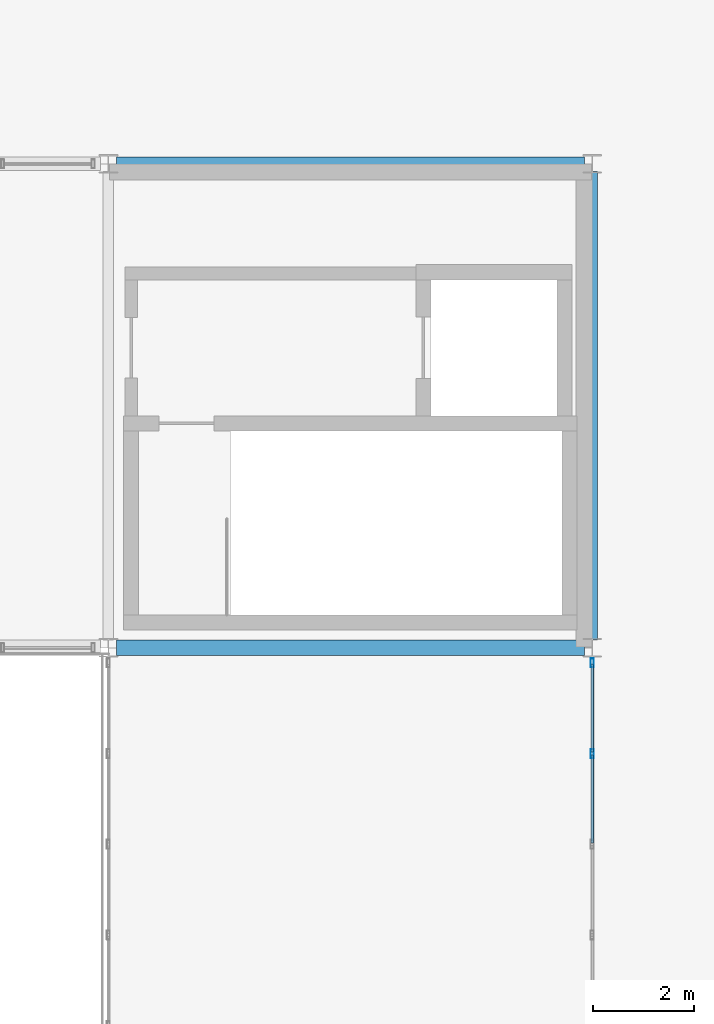
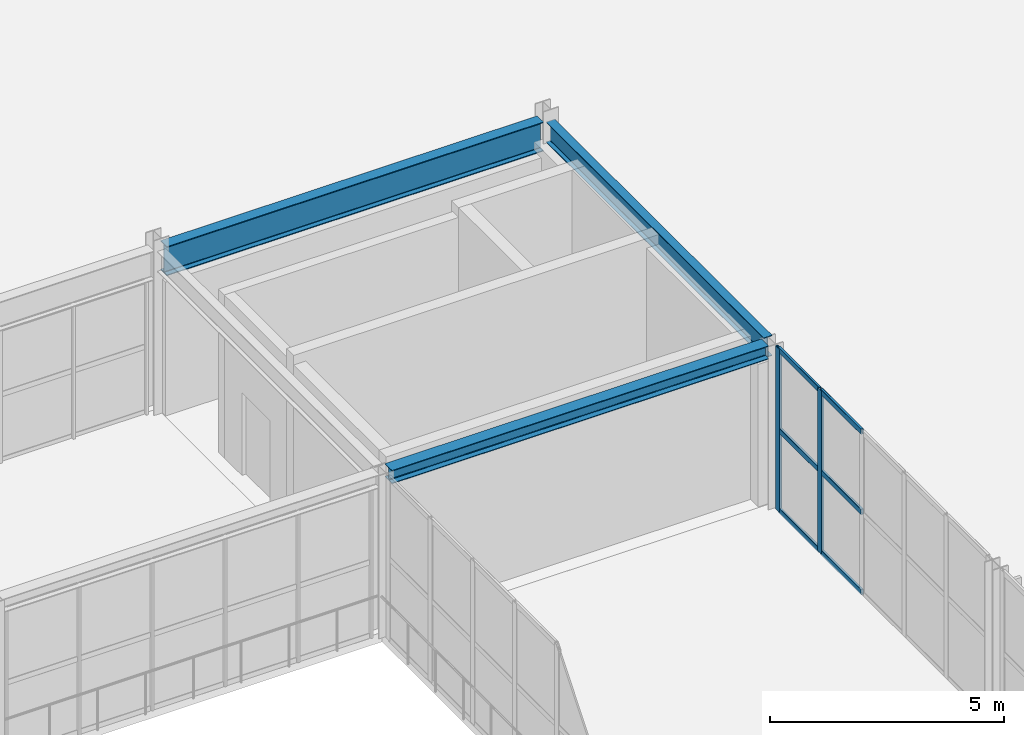
# One storey, part 128 of 170: 8 members, 3 beams, 1 element without a shape of its own.
"""IFC4 building model written with IfcOpenShell, lengths in metres."""

from ifc_helpers import new_model, si_unit, direction, frame, origin, origin_2d, place, context, subcontext, project, spatial, hollow_rectangle, i_section, extrude, material, material_profile, profile_set, type_object, element, aggregate, save


model = new_model("IFC4")

# Units and contexts
model_context = context("Model", 3, precision=1e-05, world=origin(), true_north=direction((0.0, 1.0)))
body_context = subcontext(model_context, "Body", "Model", "MODEL_VIEW")
ifc_project = project(units=[si_unit("LENGTHUNIT", "METRE"), si_unit("AREAUNIT", "SQUARE_METRE"), si_unit("VOLUMEUNIT", "CUBIC_METRE"), si_unit("PLANEANGLEUNIT", "RADIAN"), si_unit("MASSUNIT", "GRAM", prefix="KILO")], contexts=[model_context])

# Site, building, storey
site_placement = place(None, origin())
site = spatial("IfcSite", under=ifc_project, at=site_placement, CompositionType="ELEMENT")
building_placement = place(site_placement, origin())
building = spatial("IfcBuilding", under=site, at=building_placement, Name="Coralgate Yard Interchange", CompositionType="ELEMENT")
storey_placement = place(building_placement, frame((0.0, 0.0, 6.0)))
storey = spatial("IfcBuildingStorey", under=building, at=storey_placement, Name="L01", CompositionType="ELEMENT", Elevation=6.0)

# Beams
ifc_material_1 = material(Name="Structural steel S355J2", Category="steel")
ifc_material_profile_1 = material_profile(ifc_material_1, i_section(OverallWidth=0.209228515625, OverallDepth=0.533203125, WebThickness=0.010009765625, FlangeThickness=0.015625, FilletRadius=0.0126953125, at=origin_2d()), Name="UB 533x210x92")
ifc_profile_set_1 = profile_set([ifc_material_profile_1], Name="Structural steel S355J2")
beam_type_1 = type_object("IfcBeamType", Name="BM-SB-1", PredefinedType="BEAM", material=ifc_profile_set_1)
beam_1_placement = place(storey_placement, frame((134.39990234375, 67.35400390625, 3.9833984375), z_axis=(0.0, 1.0, 0.0), x_axis=(-1.0, 0.0, 0.0)))
element("IfcBeam", 1, at=beam_1_placement, inside=storey, type_object=beam_type_1, Name="L01 primary grid girder X14 Y7-8", PredefinedType="BEAM", context=body_context, shape_type="SweptSolid", body=[
    extrude(i_section(OverallWidth=0.209228515625, OverallDepth=0.533203125, WebThickness=0.010009765625, FlangeThickness=0.015625, FilletRadius=0.0126953125, at=origin_2d()), origin(), (0.0, 0.0, 1.0), 9.2919921875),
])
ifc_material_profile_2 = material_profile(ifc_material_1, i_section(OverallWidth=0.2666015625, OverallDepth=0.76220703125, WebThickness=0.014404296875, FlangeThickness=0.021484375, FilletRadius=0.0166015625, at=origin_2d()), Name="UB 762x267x173")
ifc_profile_set_2 = profile_set([ifc_material_profile_2], Name="Structural steel S355J2")
beam_type_2 = type_object("IfcBeamType", Name="BM-SG-3", PredefinedType="BEAM", material=ifc_profile_set_2)
beam_2_placement = place(storey_placement, frame((124.956298828125, 76.800048828125, 3.868896484375), z_axis=(1.0, 0.0, 0.0), x_axis=(0.0, 1.0, 0.0)))
element("IfcBeam", 2, at=beam_2_placement, inside=storey, type_object=beam_type_2, Name="L01 primary grid beam Y8 X13-14", PredefinedType="BEAM", context=body_context, shape_type="SweptSolid", body=[
    extrude(i_section(OverallWidth=0.2666015625, OverallDepth=0.76220703125, WebThickness=0.014404296875, FlangeThickness=0.021484375, FilletRadius=0.0166015625, at=origin_2d()), origin(), (0.0, 0.0, 1.0), 9.287353515625),
])
ifc_material_profile_3 = material_profile(ifc_material_1, i_section(OverallWidth=0.300048828125, OverallDepth=0.35009765625, WebThickness=0.010009765625, FlangeThickness=0.017578125, FilletRadius=0.027099609375, at=origin_2d()), Name="HEA 360")
ifc_profile_set_3 = profile_set([ifc_material_profile_3], Name="Structural steel S355J2")
beam_type_3 = type_object("IfcBeamType", Name="BM-SP-1", PredefinedType="SPANDREL", material=ifc_profile_set_3)
beam_3_placement = place(storey_placement, frame((124.956298828125, 67.199951171875, 4.074951171875), z_axis=(1.0, 0.0, 0.0), x_axis=(0.0, 1.0, 0.0)))
element("IfcBeam", 3, at=beam_3_placement, inside=storey, type_object=beam_type_3, Name="L01 primary grid beam Y7 X13-14", PredefinedType="SPANDREL", context=body_context, shape_type="SweptSolid", body=[
    extrude(i_section(OverallWidth=0.300048828125, OverallDepth=0.35009765625, WebThickness=0.010009765625, FlangeThickness=0.017578125, FilletRadius=0.027099609375, at=origin_2d()), origin(), (0.0, 0.0, 1.0), 9.287353515625),
])

# Curtain wall, members
ifc_material_2 = material(Name="Anodised coastal aluminium and solar-control low-E glass", Category="aluminium")
curtain_wall_type = type_object("IfcCurtainWallType", Name="CW-CW-L01-B", PredefinedType="NOTDEFINED", material=ifc_material_2)
curtain_wall_placement = place(storey_placement, origin())
curtain_wall = element("IfcCurtainWall", 4, at=curtain_wall_placement, inside=storey, type_object=curtain_wall_type, Name="L01 unitised curtain wall CW-L01-E-13-06", PredefinedType="NOTDEFINED")
ifc_material_3 = material(Name="Anodised coastal aluminium 6063-T6", Category="aluminium")
ifc_material_profile_4 = material_profile(ifc_material_3, hollow_rectangle(XDim=0.06005859375, YDim=0.179931640625, WallThickness=0.00390625, InnerFilletRadius=0.00390625, OuterFilletRadius=0.008056640625, at=origin_2d()), Name="ALU 60x180x4")
ifc_profile_set_4 = profile_set([ifc_material_profile_4], Name="Anodised coastal aluminium 6063-T6")
member_type_1 = type_object("IfcMemberType", Name="MB-MUL-180", PredefinedType="MULLION", material=ifc_profile_set_4)
member_1_placement = place(storey_placement, frame((134.39990234375, 66.89990234375, 0.0), z_axis=(0.0, 0.0, 1.0), x_axis=(1.0, 0.0, 0.0)))
member_1 = element("IfcMember", 5, at=member_1_placement, type_object=member_type_1, Name="CW-L01-E-13-06 vertical mullion 1", PredefinedType="MULLION", context=body_context, shape_type="SweptSolid", body=[
    extrude(hollow_rectangle(XDim=0.06005859375, YDim=0.179931640625, WallThickness=0.00390625, InnerFilletRadius=0.00390625, OuterFilletRadius=0.008056640625, at=origin_2d()), origin(), (0.0, 0.0, 1.0), 4.25),
])
member_2_placement = place(storey_placement, frame((134.39990234375, 65.10009765625, 0.0), z_axis=(0.0, 0.0, 1.0), x_axis=(1.0, 0.0, 0.0)))
member_2 = element("IfcMember", 6, at=member_2_placement, type_object=member_type_1, Name="CW-L01-E-13-06 vertical mullion 2", PredefinedType="MULLION", context=body_context, shape_type="SweptSolid", body=[
    extrude(hollow_rectangle(XDim=0.06005859375, YDim=0.179931640625, WallThickness=0.00390625, InnerFilletRadius=0.00390625, OuterFilletRadius=0.008056640625, at=origin_2d()), origin(), (0.0, 0.0, 1.0), 4.25),
])
ifc_material_profile_5 = material_profile(ifc_material_3, hollow_rectangle(XDim=0.06005859375, YDim=0.139892578125, WallThickness=0.00341796875, InnerFilletRadius=0.00341796875, OuterFilletRadius=0.007080078125, at=origin_2d()), Name="ALU 60x140x3.5")
ifc_profile_set_5 = profile_set([ifc_material_profile_5], Name="Anodised coastal aluminium 6063-T6")
member_type_2 = type_object("IfcMemberType", Name="MB-TRN-140", PredefinedType="USERDEFINED", material=ifc_profile_set_5)
member_3_placement = place(storey_placement, frame((134.39990234375, 66.8701171875, 0.034912109375), z_axis=(0.0, -1.0, 0.0), x_axis=(1.0, 0.0, 0.0)))
member_3 = element("IfcMember", 7, at=member_3_placement, type_object=member_type_2, Name="CW-L01-E-13-06 horizontal transom 1-1", ObjectType="TRANSOM", PredefinedType="USERDEFINED", context=body_context, shape_type="SweptSolid", body=[
    extrude(hollow_rectangle(XDim=0.06005859375, YDim=0.139892578125, WallThickness=0.00341796875, InnerFilletRadius=0.00341796875, OuterFilletRadius=0.007080078125, at=origin_2d()), origin(), (0.0, 0.0, 1.0), 1.740234375),
])
member_4_placement = place(storey_placement, frame((134.39990234375, 66.8701171875, 2.125), z_axis=(0.0, -1.0, 0.0), x_axis=(1.0, 0.0, 0.0)))
member_4 = element("IfcMember", 8, at=member_4_placement, type_object=member_type_2, Name="CW-L01-E-13-06 horizontal transom 1-2", ObjectType="TRANSOM", PredefinedType="USERDEFINED", context=body_context, shape_type="SweptSolid", body=[
    extrude(hollow_rectangle(XDim=0.06005859375, YDim=0.139892578125, WallThickness=0.00341796875, InnerFilletRadius=0.00341796875, OuterFilletRadius=0.007080078125, at=origin_2d()), origin(), (0.0, 0.0, 1.0), 1.740234375),
])
member_5_placement = place(storey_placement, frame((134.39990234375, 66.8701171875, 4.215087890625), z_axis=(0.0, -1.0, 0.0), x_axis=(1.0, 0.0, 0.0)))
member_5 = element("IfcMember", 9, at=member_5_placement, type_object=member_type_2, Name="CW-L01-E-13-06 horizontal transom 1-3", ObjectType="TRANSOM", PredefinedType="USERDEFINED", context=body_context, shape_type="SweptSolid", body=[
    extrude(hollow_rectangle(XDim=0.06005859375, YDim=0.139892578125, WallThickness=0.00341796875, InnerFilletRadius=0.00341796875, OuterFilletRadius=0.007080078125, at=origin_2d()), origin(), (0.0, 0.0, 1.0), 1.740234375),
])
member_6_placement = place(storey_placement, frame((134.39990234375, 65.070068359375, 0.034912109375), z_axis=(0.0, -1.0, 0.0), x_axis=(1.0, 0.0, 0.0)))
member_6 = element("IfcMember", 10, at=member_6_placement, type_object=member_type_2, Name="CW-L01-E-13-06 horizontal transom 2-1", ObjectType="TRANSOM", PredefinedType="USERDEFINED", context=body_context, shape_type="SweptSolid", body=[
    extrude(hollow_rectangle(XDim=0.06005859375, YDim=0.139892578125, WallThickness=0.00341796875, InnerFilletRadius=0.00341796875, OuterFilletRadius=0.007080078125, at=origin_2d()), origin(), (0.0, 0.0, 1.0), 1.739990234375),
])
member_7_placement = place(storey_placement, frame((134.39990234375, 65.070068359375, 2.125), z_axis=(0.0, -1.0, 0.0), x_axis=(1.0, 0.0, 0.0)))
member_7 = element("IfcMember", 11, at=member_7_placement, type_object=member_type_2, Name="CW-L01-E-13-06 horizontal transom 2-2", ObjectType="TRANSOM", PredefinedType="USERDEFINED", context=body_context, shape_type="SweptSolid", body=[
    extrude(hollow_rectangle(XDim=0.06005859375, YDim=0.139892578125, WallThickness=0.00341796875, InnerFilletRadius=0.00341796875, OuterFilletRadius=0.007080078125, at=origin_2d()), origin(), (0.0, 0.0, 1.0), 1.739990234375),
])
member_8_placement = place(storey_placement, frame((134.39990234375, 65.070068359375, 4.215087890625), z_axis=(0.0, -1.0, 0.0), x_axis=(1.0, 0.0, 0.0)))
member_8 = element("IfcMember", 12, at=member_8_placement, type_object=member_type_2, Name="CW-L01-E-13-06 horizontal transom 2-3", ObjectType="TRANSOM", PredefinedType="USERDEFINED", context=body_context, shape_type="SweptSolid", body=[
    extrude(hollow_rectangle(XDim=0.06005859375, YDim=0.139892578125, WallThickness=0.00341796875, InnerFilletRadius=0.00341796875, OuterFilletRadius=0.007080078125, at=origin_2d()), origin(), (0.0, 0.0, 1.0), 1.739990234375),
])
aggregate(curtain_wall, [member_1, member_2, member_3, member_4, member_5, member_6, member_7, member_8])

save(model, "model.ifc")
